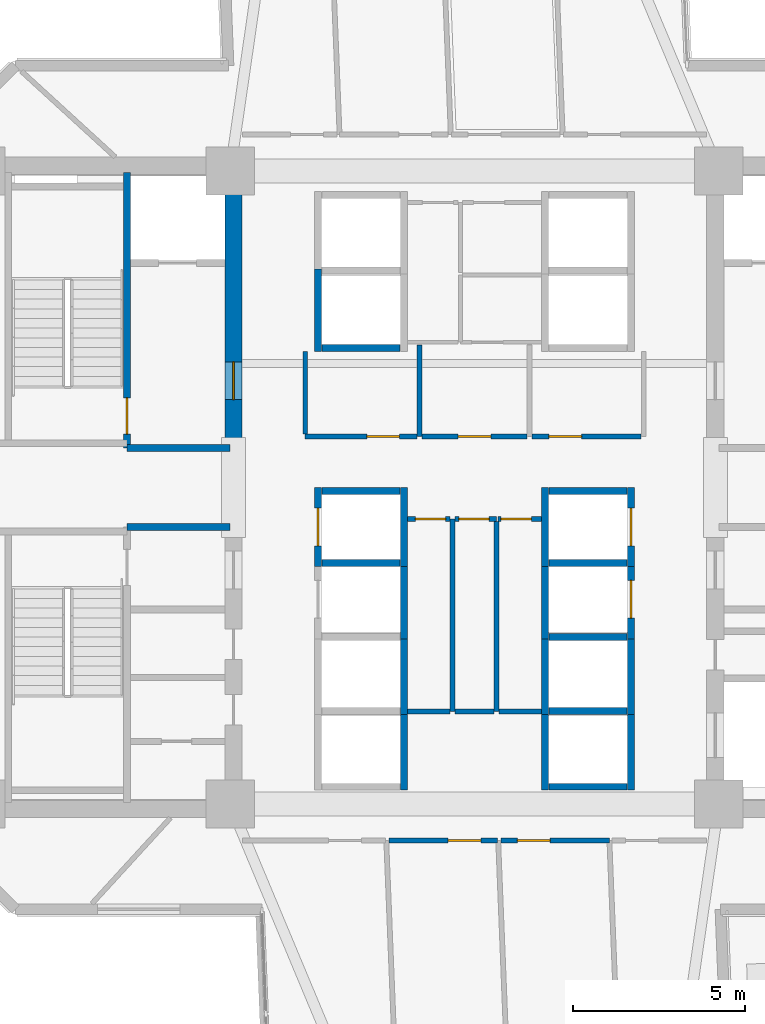
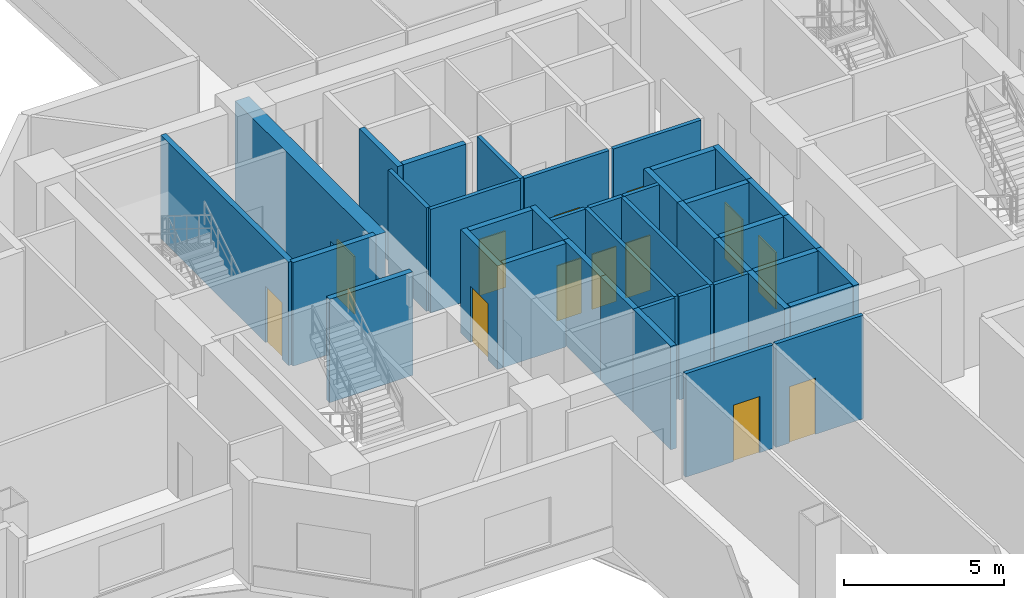
# One storey, part 7 of 16: 41 walls, 13 doors, 13 openings.
"""IFC4 building model written with IfcOpenShell, lengths in metres."""

from ifc_helpers import new_model, si_unit, direction, frame, frame_2d, origin, place, context, subcontext, project, spatial, rectangle, extrude, source, transform, mapped, material, layer, layer_set, type_object, element, fill, save


model = new_model("IFC4")

# Units and contexts
model_context = context("Model", 3, precision=1e-05, world=origin(), true_north=direction((0.0, 1.0)))
body_context = subcontext(model_context, "Body", "Model", "MODEL_VIEW")
ifc_project = project(units=[si_unit("LENGTHUNIT", "METRE"), si_unit("AREAUNIT", "SQUARE_METRE"), si_unit("VOLUMEUNIT", "CUBIC_METRE"), si_unit("PLANEANGLEUNIT", "RADIAN"), si_unit("MASSUNIT", "GRAM", prefix="KILO")], contexts=[model_context])

# Site, building, storey
site_placement = place(None, origin())
site = spatial("IfcSite", under=ifc_project, at=site_placement, CompositionType="ELEMENT")
building_placement = place(site_placement, origin())
building = spatial("IfcBuilding", under=site, at=building_placement, Name="Zahravan Cultural Tower", CompositionType="ELEMENT")
storey_placement = place(building_placement, frame((0.0, 0.0, 58.5)))
storey = spatial("IfcBuildingStorey", under=building, at=storey_placement, Name="L12", CompositionType="ELEMENT", Elevation=58.5)

# Wall, opening, door
ifc_material_1 = material(Name="Concrete C60/75", Category="concrete")
ifc_layer_1 = layer(ifc_material_1, 0.5)
ifc_layer_set_1 = layer_set([ifc_layer_1], Name="Concrete C60/75")
wall_type_1 = type_object("IfcWallType", Name="CW-SHEAR-500-C60", PredefinedType="SHEAR", material=ifc_layer_set_1)
wall_1_placement = place(storey_placement, frame((29.0, 28.050048828125, 0.0), z_axis=(0.0, 0.0, 1.0), x_axis=(0.0, 1.0, 0.0)))
wall_1 = element("IfcWall", 1, at=wall_1_placement, inside=storey, type_object=wall_type_1, Name="L12 Core Shear Wall CW-W-EN-L12", PredefinedType="SHEAR", context=body_context, shape_type="SweptSolid", body=[
    extrude(rectangle(XDim=8.550048828125, YDim=0.5, at=frame_2d((4.27490234375, 0.0))), origin(), (0.0, 0.0, 1.0), 3.949951171875),
])
opening_1_placement = place(wall_1_placement, frame((1.5, 0.0, 0.0)))
opening_1 = element("IfcOpeningElement", 2, at=opening_1_placement, cuts=wall_1, Name="Opening D-L12-05", PredefinedType="OPENING", context=body_context, shape_type="SweptSolid", body=[
    extrude(rectangle(XDim=1.10009765625, YDim=2.199951171875, at=frame_2d((0.550048828125, 1.10009765625))), frame((0.0, 0.260009765625, 0.0), z_axis=(0.0, -1.0, 0.0), x_axis=(1.0, 0.0, 0.0)), (0.0, 0.0, 1.0), 0.52001953125),
])
ifc_material_2 = material(Name="Steel ASTM A572 Grade 50", Category="steel")
door_type_1 = type_object("IfcDoorType", Name="DR-LOBBY-1100", OperationType="NOTDEFINED", PredefinedType="DOOR", material=ifc_material_2)
shared_shape_1 = source(origin(), body_context, "Body", "SweptSolid", [
    extrude(rectangle(XDim=1.10009765625, YDim=2.199951171875, at=frame_2d((0.550048828125, 1.10009765625))), frame((0.0, 0.02490234375, 0.0), z_axis=(0.0, -1.0, 0.0), x_axis=(1.0, 0.0, 0.0)), (0.0, 0.0, 1.0), 0.050048828125),
])
door_1_placement = place(opening_1_placement, origin())
door_1 = element("IfcDoor", 3, at=door_1_placement, inside=storey, type_object=door_type_1, Name="L12 Door D-L12-05", OperationType="SINGLE_SWING_RIGHT", OverallHeight=2.199951171875, OverallWidth=1.10009765625, PredefinedType="DOOR", context=body_context, shape_type="MappedRepresentation", body=[
    mapped(shared_shape_1, transform((0.0, 0.0, 0.0), x_axis=(1.0, 0.0, 0.0), y_axis=(0.0, 1.0, 0.0), z_axis=(0.0, 0.0, 1.0), scale=1.0)),
])
fill(opening_1, door_1)

ifc_material_3 = material(Name="Gypsum plasterboard partition")
ifc_layer_2 = layer(ifc_material_3, 0.139892578125)
ifc_layer_set_2 = layer_set([ifc_layer_2], Name="Gypsum plasterboard partition")
wall_type_2 = type_object("IfcWallType", Name="W-PART-140", PredefinedType="PARTITIONING", material=ifc_layer_set_2)
wall_2_placement = place(storey_placement, frame((35.43505859375, 26.080078125, 0.0), z_axis=(0.0, 0.0, 1.0), x_axis=(1.0, 0.0, 0.0)))
wall_2 = element("IfcWall", 4, at=wall_2_placement, inside=storey, type_object=wall_type_2, Name="L12 Interior Wall 077", PredefinedType="PARTITIONING", context=body_context, shape_type="SweptSolid", body=[
    extrude(rectangle(XDim=1.204833984375, YDim=0.139892578125, at=frame_2d((0.6025390625, 0.0))), origin(), (0.0, 0.0, 1.0), 3.949951171875),
])
opening_2_placement = place(wall_2_placement, frame((0.11376953125, 0.0, 0.0)))
opening_2 = element("IfcOpeningElement", 5, at=opening_2_placement, cuts=wall_2, Name="Opening D-L12-16", PredefinedType="OPENING", context=body_context, shape_type="SweptSolid", body=[
    extrude(rectangle(XDim=0.8798828125, YDim=2.10009765625, at=frame_2d((0.43994140625, 1.050048828125))), frame((0.0, 0.079833984375, 0.0), z_axis=(0.0, -1.0, 0.0), x_axis=(1.0, 0.0, 0.0)), (0.0, 0.0, 1.0), 0.159912109375),
])
ifc_material_4 = material(Name="Anodised bronze-aluminium mullion", Category="aluminium")
door_type_2 = type_object("IfcDoorType", Name="DR-ROOM-880", OperationType="NOTDEFINED", PredefinedType="DOOR", material=ifc_material_4)
shared_shape_2 = source(origin(), body_context, "Body", "SweptSolid", [
    extrude(rectangle(XDim=0.8798828125, YDim=2.10009765625, at=frame_2d((0.43994140625, 1.050048828125))), frame((0.0, 0.02490234375, 0.0), z_axis=(0.0, -1.0, 0.0), x_axis=(1.0, 0.0, 0.0)), (0.0, 0.0, 1.0), 0.050048828125),
])
door_2_placement = place(opening_2_placement, origin())
door_2 = element("IfcDoor", 6, at=door_2_placement, inside=storey, type_object=door_type_2, Name="L12 Door D-L12-16", OperationType="SINGLE_SWING_LEFT", OverallHeight=2.10009765625, OverallWidth=0.8798828125, PredefinedType="DOOR", context=body_context, shape_type="MappedRepresentation", body=[
    mapped(shared_shape_2, transform((0.0, 0.0, 0.0), x_axis=(1.0, 0.0, 0.0), y_axis=(0.0, 1.0, 0.0), z_axis=(0.0, 0.0, 1.0), scale=1.0)),
])
fill(opening_2, door_2)

wall_3_placement = place(storey_placement, frame((34.054931640625, 26.080078125, 0.0), z_axis=(0.0, 0.0, 1.0), x_axis=(1.0, 0.0, 0.0)))
wall_3 = element("IfcWall", 7, at=wall_3_placement, inside=storey, type_object=wall_type_2, Name="L12 Interior Wall 080", PredefinedType="PARTITIONING", context=body_context, shape_type="SweptSolid", body=[
    extrude(rectangle(XDim=1.22998046875, YDim=0.139892578125, at=frame_2d((0.614990234375, 0.0))), origin(), (0.0, 0.0, 1.0), 3.949951171875),
])
opening_3_placement = place(wall_3_placement, frame((0.2275390625, 0.0, 0.0)))
opening_3 = element("IfcOpeningElement", 8, at=opening_3_placement, cuts=wall_3, Name="Opening D-L12-15", PredefinedType="OPENING", context=body_context, shape_type="SweptSolid", body=[
    extrude(rectangle(XDim=0.8798828125, YDim=2.10009765625, at=frame_2d((0.43994140625, 1.050048828125))), frame((0.0, 0.079833984375, 0.0), z_axis=(0.0, -1.0, 0.0), x_axis=(1.0, 0.0, 0.0)), (0.0, 0.0, 1.0), 0.159912109375),
])
door_3_placement = place(opening_3_placement, origin())
door_3 = element("IfcDoor", 9, at=door_3_placement, inside=storey, type_object=door_type_2, Name="L12 Door D-L12-15", OperationType="SINGLE_SWING_RIGHT", OverallHeight=2.10009765625, OverallWidth=0.8798828125, PredefinedType="DOOR", context=body_context, shape_type="MappedRepresentation", body=[
    mapped(shared_shape_2, transform((0.0, 0.0, 0.0), x_axis=(1.0, 0.0, 0.0), y_axis=(0.0, 1.0, 0.0), z_axis=(0.0, 0.0, 1.0), scale=1.0)),
])
fill(opening_3, door_3)

wall_4_placement = place(storey_placement, frame((36.679931640625, 26.080078125, 0.0), z_axis=(0.0, 0.0, 1.0), x_axis=(1.0, 0.0, 0.0)))
wall_4 = element("IfcWall", 10, at=wall_4_placement, inside=storey, type_object=wall_type_2, Name="L12 Interior Wall 082", PredefinedType="PARTITIONING", context=body_context, shape_type="SweptSolid", body=[
    extrude(rectangle(XDim=1.26513671875, YDim=0.139892578125, at=frame_2d((0.632568359375, 0.0))), origin(), (0.0, 0.0, 1.0), 3.949951171875),
])
opening_4_placement = place(wall_4_placement, frame((0.09033203125, 0.0, 0.0)))
opening_4 = element("IfcOpeningElement", 11, at=opening_4_placement, cuts=wall_4, Name="Opening D-L12-17", PredefinedType="OPENING", context=body_context, shape_type="SweptSolid", body=[
    extrude(rectangle(XDim=0.8798828125, YDim=2.10009765625, at=frame_2d((0.43994140625, 1.050048828125))), frame((0.0, 0.079833984375, 0.0), z_axis=(0.0, -1.0, 0.0), x_axis=(1.0, 0.0, 0.0)), (0.0, 0.0, 1.0), 0.159912109375),
])
door_4_placement = place(opening_4_placement, origin())
door_4 = element("IfcDoor", 12, at=door_4_placement, inside=storey, type_object=door_type_2, Name="L12 Door D-L12-17", OperationType="SINGLE_SWING_RIGHT", OverallHeight=2.10009765625, OverallWidth=0.8798828125, PredefinedType="DOOR", context=body_context, shape_type="MappedRepresentation", body=[
    mapped(shared_shape_2, transform((0.0, 0.0, 0.0), x_axis=(1.0, 0.0, 0.0), y_axis=(0.0, 1.0, 0.0), z_axis=(0.0, 0.0, 1.0), scale=1.0)),
])
fill(opening_4, door_4)

wall_5_placement = place(storey_placement, frame((37.52490234375, 28.47998046875, 0.0), z_axis=(0.0, 0.0, 1.0), x_axis=(-1.0, 0.0, 0.0)))
wall_5 = element("IfcWall", 13, at=wall_5_placement, inside=storey, type_object=wall_type_2, Name="L12 Interior Wall 086", PredefinedType="PARTITIONING", context=body_context, shape_type="SweptSolid", body=[
    extrude(rectangle(XDim=3.0498046875, YDim=0.139892578125, at=frame_2d((1.52490234375, 0.0))), origin(), (0.0, 0.0, 1.0), 3.949951171875),
])
opening_5_placement = place(wall_5_placement, frame((1.050048828125, 0.0, 0.0)))
opening_5 = element("IfcOpeningElement", 14, at=opening_5_placement, cuts=wall_5, Name="Opening D-L12-19", PredefinedType="OPENING", context=body_context, shape_type="SweptSolid", body=[
    extrude(rectangle(XDim=0.949951171875, YDim=2.14990234375, at=frame_2d((0.47509765625, 1.074951171875))), frame((0.0, 0.079833984375, 0.0), z_axis=(0.0, -1.0, 0.0), x_axis=(1.0, 0.0, 0.0)), (0.0, 0.0, 1.0), 0.159912109375),
])
door_type_3 = type_object("IfcDoorType", Name="DR-ROOM-950", OperationType="NOTDEFINED", PredefinedType="DOOR", material=ifc_material_4)
shared_shape_3 = source(origin(), body_context, "Body", "SweptSolid", [
    extrude(rectangle(XDim=0.949951171875, YDim=2.14990234375, at=frame_2d((0.47509765625, 1.074951171875))), frame((0.0, 0.02490234375, 0.0), z_axis=(0.0, -1.0, 0.0), x_axis=(1.0, 0.0, 0.0)), (0.0, 0.0, 1.0), 0.050048828125),
])
door_5_placement = place(opening_5_placement, origin())
door_5 = element("IfcDoor", 15, at=door_5_placement, inside=storey, type_object=door_type_3, Name="L12 Door D-L12-19", OperationType="SINGLE_SWING_RIGHT", OverallHeight=2.14990234375, OverallWidth=0.949951171875, PredefinedType="DOOR", context=body_context, shape_type="MappedRepresentation", body=[
    mapped(shared_shape_3, transform((0.0, 0.0, 0.0), x_axis=(1.0, 0.0, 0.0), y_axis=(0.0, 1.0, 0.0), z_axis=(0.0, 0.0, 1.0), scale=1.0)),
])
fill(opening_5, door_5)

wall_6_placement = place(storey_placement, frame((34.324951171875, 28.47998046875, 0.0), z_axis=(0.0, 0.0, 1.0), x_axis=(-1.0, 0.0, 0.0)))
wall_6 = element("IfcWall", 16, at=wall_6_placement, inside=storey, type_object=wall_type_2, Name="L12 Interior Wall 087", PredefinedType="PARTITIONING", context=body_context, shape_type="SweptSolid", body=[
    extrude(rectangle(XDim=3.244873046875, YDim=0.139892578125, at=frame_2d((1.62255859375, 0.0))), origin(), (0.0, 0.0, 1.0), 3.949951171875),
])
opening_6_placement = place(wall_6_placement, frame((0.5048828125, 0.0, 0.0)))
opening_6 = element("IfcOpeningElement", 17, at=opening_6_placement, cuts=wall_6, Name="Opening D-L12-18", PredefinedType="OPENING", context=body_context, shape_type="SweptSolid", body=[
    extrude(rectangle(XDim=0.949951171875, YDim=2.14990234375, at=frame_2d((0.47509765625, 1.074951171875))), frame((0.0, 0.079833984375, 0.0), z_axis=(0.0, -1.0, 0.0), x_axis=(1.0, 0.0, 0.0)), (0.0, 0.0, 1.0), 0.159912109375),
])
door_6_placement = place(opening_6_placement, origin())
door_6 = element("IfcDoor", 18, at=door_6_placement, inside=storey, type_object=door_type_3, Name="L12 Door D-L12-18", OperationType="SINGLE_SWING_LEFT", OverallHeight=2.14990234375, OverallWidth=0.949951171875, PredefinedType="DOOR", context=body_context, shape_type="MappedRepresentation", body=[
    mapped(shared_shape_3, transform((0.0, 0.0, 0.0), x_axis=(1.0, 0.0, 0.0), y_axis=(0.0, 1.0, 0.0), z_axis=(0.0, 0.0, 1.0), scale=1.0)),
])
fill(opening_6, door_6)

wall_7_placement = place(storey_placement, frame((40.844970703125, 28.47998046875, 0.0), z_axis=(0.0, 0.0, 1.0), x_axis=(-1.0, 0.0, 0.0)))
wall_7 = element("IfcWall", 19, at=wall_7_placement, inside=storey, type_object=wall_type_2, Name="L12 Interior Wall 090", PredefinedType="PARTITIONING", context=body_context, shape_type="SweptSolid", body=[
    extrude(rectangle(XDim=3.169921875, YDim=0.139892578125, at=frame_2d((1.5849609375, 0.0))), origin(), (0.0, 0.0, 1.0), 3.949951171875),
])
opening_7_placement = place(wall_7_placement, frame((1.731689453125, 0.0, 0.0)))
opening_7 = element("IfcOpeningElement", 20, at=opening_7_placement, cuts=wall_7, Name="Opening D-L12-20", PredefinedType="OPENING", context=body_context, shape_type="SweptSolid", body=[
    extrude(rectangle(XDim=0.949951171875, YDim=2.14990234375, at=frame_2d((0.47509765625, 1.074951171875))), frame((0.0, 0.079833984375, 0.0), z_axis=(0.0, -1.0, 0.0), x_axis=(1.0, 0.0, 0.0)), (0.0, 0.0, 1.0), 0.159912109375),
])
door_7_placement = place(opening_7_placement, origin())
door_7 = element("IfcDoor", 21, at=door_7_placement, inside=storey, type_object=door_type_3, Name="L12 Door D-L12-20", OperationType="SINGLE_SWING_LEFT", OverallHeight=2.14990234375, OverallWidth=0.949951171875, PredefinedType="DOOR", context=body_context, shape_type="MappedRepresentation", body=[
    mapped(shared_shape_3, transform((0.0, 0.0, 0.0), x_axis=(1.0, 0.0, 0.0), y_axis=(0.0, 1.0, 0.0), z_axis=(0.0, 0.0, 1.0), scale=1.0)),
])
fill(opening_7, door_7)

wall_8_placement = place(storey_placement, frame((36.763916015625, 16.739990234375, 0.0), z_axis=(0.0, 0.0, 1.0), x_axis=(1.0, 0.0, 0.0)))
wall_8 = element("IfcWall", 22, at=wall_8_placement, inside=storey, type_object=wall_type_2, Name="L12 Interior Wall 101", PredefinedType="PARTITIONING", context=body_context, shape_type="SweptSolid", body=[
    extrude(rectangle(XDim=3.157470703125, YDim=0.139892578125, at=frame_2d((1.57861328125, 0.0))), origin(), (0.0, 0.0, 1.0), 3.949951171875),
])
opening_8_placement = place(wall_8_placement, frame((0.485595703125, 0.0, 0.0)))
opening_8 = element("IfcOpeningElement", 23, at=opening_8_placement, cuts=wall_8, Name="Opening D-L12-33", PredefinedType="OPENING", context=body_context, shape_type="SweptSolid", body=[
    extrude(rectangle(XDim=0.949951171875, YDim=2.14990234375, at=frame_2d((0.47509765625, 1.074951171875))), frame((0.0, 0.079833984375, 0.0), z_axis=(0.0, -1.0, 0.0), x_axis=(1.0, 0.0, 0.0)), (0.0, 0.0, 1.0), 0.159912109375),
])
door_8_placement = place(opening_8_placement, origin())
door_8 = element("IfcDoor", 24, at=door_8_placement, inside=storey, type_object=door_type_3, Name="L12 Door D-L12-33", OperationType="SINGLE_SWING_RIGHT", OverallHeight=2.14990234375, OverallWidth=0.949951171875, PredefinedType="DOOR", context=body_context, shape_type="MappedRepresentation", body=[
    mapped(shared_shape_3, transform((0.0, 0.0, 0.0), x_axis=(1.0, 0.0, 0.0), y_axis=(0.0, 1.0, 0.0), z_axis=(0.0, 0.0, 1.0), scale=1.0)),
])
fill(opening_8, door_8)

wall_9_placement = place(storey_placement, frame((33.51123046875, 16.739990234375, 0.0), z_axis=(0.0, 0.0, 1.0), x_axis=(1.0, 0.0, 0.0)))
wall_9 = element("IfcWall", 25, at=wall_9_placement, inside=storey, type_object=wall_type_2, Name="L12 Interior Wall 108", PredefinedType="PARTITIONING", context=body_context, shape_type="SweptSolid", body=[
    extrude(rectangle(XDim=3.157470703125, YDim=0.139892578125, at=frame_2d((1.57861328125, 0.0))), origin(), (0.0, 0.0, 1.0), 3.949951171875),
])
opening_9_placement = place(wall_9_placement, frame((1.7216796875, 0.0, 0.0)))
opening_9 = element("IfcOpeningElement", 26, at=opening_9_placement, cuts=wall_9, Name="Opening D-L12-32", PredefinedType="OPENING", context=body_context, shape_type="SweptSolid", body=[
    extrude(rectangle(XDim=0.949951171875, YDim=2.14990234375, at=frame_2d((0.47509765625, 1.074951171875))), frame((0.0, 0.079833984375, 0.0), z_axis=(0.0, -1.0, 0.0), x_axis=(1.0, 0.0, 0.0)), (0.0, 0.0, 1.0), 0.159912109375),
])
door_9_placement = place(opening_9_placement, origin())
door_9 = element("IfcDoor", 27, at=door_9_placement, inside=storey, type_object=door_type_3, Name="L12 Door D-L12-32", OperationType="SINGLE_SWING_LEFT", OverallHeight=2.14990234375, OverallWidth=0.949951171875, PredefinedType="DOOR", context=body_context, shape_type="MappedRepresentation", body=[
    mapped(shared_shape_3, transform((0.0, 0.0, 0.0), x_axis=(1.0, 0.0, 0.0), y_axis=(0.0, 1.0, 0.0), z_axis=(0.0, 0.0, 1.0), scale=1.0)),
])
fill(opening_9, door_9)

ifc_material_5 = material(Name="Concrete C45/55", Category="concrete")
ifc_layer_3 = layer(ifc_material_5, 0.199951171875)
ifc_layer_set_3 = layer_set([ifc_layer_3], Name="Concrete C45/55")
wall_type_3 = type_object("IfcWallType", Name="W-SHAFT-200", PredefinedType="SOLIDWALL", material=ifc_layer_set_3)
wall_10_placement = place(storey_placement, frame((25.89990234375, 28.14990234375, 0.0), z_axis=(0.0, 0.0, 1.0), x_axis=(0.0, 1.0, 0.0)))
wall_10 = element("IfcWall", 28, at=wall_10_placement, inside=storey, type_object=wall_type_3, Name="L12 Interior Wall 006", PredefinedType="SOLIDWALL", context=body_context, shape_type="SweptSolid", body=[
    extrude(rectangle(XDim=8.0, YDim=0.199951171875, at=frame_2d((4.0, 0.0))), origin(), (0.0, 0.0, 1.0), 3.949951171875),
])
opening_10_placement = place(wall_10_placement, frame((0.39990234375, 0.0, 0.0)))
opening_10 = element("IfcOpeningElement", 29, at=opening_10_placement, cuts=wall_10, Name="Opening D-L12-01", PredefinedType="OPENING", context=body_context, shape_type="SweptSolid", body=[
    extrude(rectangle(XDim=1.050048828125, YDim=2.14990234375, at=frame_2d((0.52490234375, 1.074951171875))), frame((0.0, 0.10986328125, 0.0), z_axis=(0.0, -1.0, 0.0), x_axis=(1.0, 0.0, 0.0)), (0.0, 0.0, 1.0), 0.219970703125),
])
door_type_4 = type_object("IfcDoorType", Name="DR-STAIR-1050", OperationType="NOTDEFINED", PredefinedType="DOOR", material=ifc_material_2)
shared_shape_4 = source(origin(), body_context, "Body", "SweptSolid", [
    extrude(rectangle(XDim=1.050048828125, YDim=2.14990234375, at=frame_2d((0.52490234375, 1.074951171875))), frame((0.0, 0.02490234375, 0.0), z_axis=(0.0, -1.0, 0.0), x_axis=(1.0, 0.0, 0.0)), (0.0, 0.0, 1.0), 0.050048828125),
])
door_10_placement = place(opening_10_placement, origin())
door_10 = element("IfcDoor", 30, at=door_10_placement, inside=storey, type_object=door_type_4, Name="L12 Door D-L12-01", OperationType="SINGLE_SWING_RIGHT", OverallHeight=2.14990234375, OverallWidth=1.050048828125, PredefinedType="DOOR", context=body_context, shape_type="MappedRepresentation", body=[
    mapped(shared_shape_4, transform((0.0, 0.0, 0.0), x_axis=(1.0, 0.0, 0.0), y_axis=(0.0, 1.0, 0.0), z_axis=(0.0, 0.0, 1.0), scale=1.0)),
])
fill(opening_10, door_10)

wall_11_placement = place(storey_placement, frame((31.449951171875, 24.699951171875, 0.0), z_axis=(0.0, 0.0, 1.0), x_axis=(0.0, 1.0, 0.0)))
wall_11 = element("IfcWall", 31, at=wall_11_placement, inside=storey, type_object=wall_type_3, Name="L12 Interior Wall 057", PredefinedType="SOLIDWALL", context=body_context, shape_type="SweptSolid", body=[
    extrude(rectangle(XDim=2.300048828125, YDim=0.199951171875, at=frame_2d((1.14990234375, 0.0))), origin(), (0.0, 0.0, 1.0), 3.949951171875),
])
opening_11_placement = place(wall_11_placement, frame((0.60009765625, 0.0, 0.0)))
opening_11 = element("IfcOpeningElement", 32, at=opening_11_placement, cuts=wall_11, Name="Opening LD-L12-04", PredefinedType="OPENING", context=body_context, shape_type="SweptSolid", body=[
    extrude(rectangle(XDim=1.10009765625, YDim=2.14990234375, at=frame_2d((0.550048828125, 1.074951171875))), frame((0.0, 0.10986328125, 0.0), z_axis=(0.0, -1.0, 0.0), x_axis=(1.0, 0.0, 0.0)), (0.0, 0.0, 1.0), 0.219970703125),
])
door_type_5 = type_object("IfcDoorType", Name="DR-LIFT-1100", OperationType="DOUBLE_DOOR_SLIDING", PredefinedType="DOOR", material=ifc_material_2)
shared_shape_5 = source(origin(), body_context, "Body", "SweptSolid", [
    extrude(rectangle(XDim=1.10009765625, YDim=2.14990234375, at=frame_2d((0.550048828125, 1.074951171875))), frame((0.0, 0.02490234375, 0.0), z_axis=(0.0, -1.0, 0.0), x_axis=(1.0, 0.0, 0.0)), (0.0, 0.0, 1.0), 0.050048828125),
])
door_11_placement = place(opening_11_placement, origin())
door_11 = element("IfcDoor", 33, at=door_11_placement, inside=storey, type_object=door_type_5, Name="L12 Door LD-L12-04", OperationType="DOUBLE_DOOR_SLIDING", OverallHeight=2.14990234375, OverallWidth=1.10009765625, PredefinedType="DOOR", context=body_context, shape_type="MappedRepresentation", body=[
    mapped(shared_shape_5, transform((0.0, 0.0, 0.0), x_axis=(1.0, 0.0, 0.0), y_axis=(0.0, 1.0, 0.0), z_axis=(0.0, 0.0, 1.0), scale=1.0)),
])
fill(opening_11, door_11)

wall_12_placement = place(storey_placement, frame((40.550048828125, 24.699951171875, 0.0), z_axis=(0.0, 0.0, 1.0), x_axis=(0.0, 1.0, 0.0)))
wall_12 = element("IfcWall", 34, at=wall_12_placement, inside=storey, type_object=wall_type_3, Name="L12 Interior Wall 064", PredefinedType="SOLIDWALL", context=body_context, shape_type="SweptSolid", body=[
    extrude(rectangle(XDim=2.300048828125, YDim=0.199951171875, at=frame_2d((1.14990234375, 0.0))), origin(), (0.0, 0.0, 1.0), 3.949951171875),
])
opening_12_placement = place(wall_12_placement, frame((0.60009765625, 0.0, 0.0)))
opening_12 = element("IfcOpeningElement", 35, at=opening_12_placement, cuts=wall_12, Name="Opening LD-L12-06", PredefinedType="OPENING", context=body_context, shape_type="SweptSolid", body=[
    extrude(rectangle(XDim=1.10009765625, YDim=2.14990234375, at=frame_2d((0.550048828125, 1.074951171875))), frame((0.0, 0.10986328125, 0.0), z_axis=(0.0, -1.0, 0.0), x_axis=(1.0, 0.0, 0.0)), (0.0, 0.0, 1.0), 0.219970703125),
])
door_12_placement = place(opening_12_placement, origin())
door_12 = element("IfcDoor", 36, at=door_12_placement, inside=storey, type_object=door_type_5, Name="L12 Door LD-L12-06", OperationType="DOUBLE_DOOR_SLIDING", OverallHeight=2.14990234375, OverallWidth=1.10009765625, PredefinedType="DOOR", context=body_context, shape_type="MappedRepresentation", body=[
    mapped(shared_shape_5, transform((0.0, 0.0, 0.0), x_axis=(1.0, 0.0, 0.0), y_axis=(0.0, 1.0, 0.0), z_axis=(0.0, 0.0, 1.0), scale=1.0)),
])
fill(opening_12, door_12)

wall_13_placement = place(storey_placement, frame((40.550048828125, 22.60009765625, 0.0), z_axis=(0.0, 0.0, 1.0), x_axis=(0.0, 1.0, 0.0)))
wall_13 = element("IfcWall", 37, at=wall_13_placement, inside=storey, type_object=wall_type_3, Name="L12 Interior Wall 068", PredefinedType="SOLIDWALL", context=body_context, shape_type="SweptSolid", body=[
    extrude(rectangle(XDim=2.2998046875, YDim=0.199951171875, at=frame_2d((1.14990234375, 0.0))), origin(), (0.0, 0.0, 1.0), 3.949951171875),
])
opening_13_placement = place(wall_13_placement, frame((0.60009765625, 0.0, 0.0)))
opening_13 = element("IfcOpeningElement", 38, at=opening_13_placement, cuts=wall_13, Name="Opening LD-L12-07", PredefinedType="OPENING", context=body_context, shape_type="SweptSolid", body=[
    extrude(rectangle(XDim=1.10009765625, YDim=2.14990234375, at=frame_2d((0.550048828125, 1.074951171875))), frame((0.0, 0.10986328125, 0.0), z_axis=(0.0, -1.0, 0.0), x_axis=(1.0, 0.0, 0.0)), (0.0, 0.0, 1.0), 0.219970703125),
])
door_13_placement = place(opening_13_placement, origin())
door_13 = element("IfcDoor", 39, at=door_13_placement, inside=storey, type_object=door_type_5, Name="L12 Door LD-L12-07", OperationType="DOUBLE_DOOR_SLIDING", OverallHeight=2.14990234375, OverallWidth=1.10009765625, PredefinedType="DOOR", context=body_context, shape_type="MappedRepresentation", body=[
    mapped(shared_shape_5, transform((0.0, 0.0, 0.0), x_axis=(1.0, 0.0, 0.0), y_axis=(0.0, 1.0, 0.0), z_axis=(0.0, 0.0, 1.0), scale=1.0)),
])
fill(opening_13, door_13)

# Walls
shared_shape_6 = source(origin(), body_context, "Body", "SweptSolid", [
    extrude(rectangle(XDim=3.0, YDim=0.199951171875, at=frame_2d((1.5, 0.0))), origin(), (0.0, 0.0, 1.0), 3.949951171875),
])
for number, where, z_axis, x_axis, name in (
    (40, (25.89990234375, 25.85009765625, 0.0), (0.0, 0.0, 1.0), (1.0, 0.0, 0.0), "L12 Interior Wall 010"),
    (41, (25.89990234375, 28.14990234375, 0.0), (0.0, 0.0, 1.0), (1.0, 0.0, 0.0), "L12 Interior Wall 012"),
):
    element("IfcWall", number, at=place(storey_placement, frame(where, z_axis=z_axis, x_axis=x_axis)), inside=storey, type_object=wall_type_3, Name=name, PredefinedType="SOLIDWALL", context=body_context, shape_type="MappedRepresentation", body=[
        mapped(shared_shape_6, transform((0.0, 0.0, 0.0), x_axis=(1.0, 0.0, 0.0), y_axis=(0.0, 1.0, 0.0), z_axis=(0.0, 0.0, 1.0), scale=1.0)),
    ])
shared_shape_7 = source(origin(), body_context, "Body", "SweptSolid", [
    extrude(rectangle(XDim=2.400146484375, YDim=0.199951171875, at=frame_2d((1.2001953125, 0.0))), origin(), (0.0, 0.0, 1.0), 3.949951171875),
])
wall_14_placement = place(storey_placement, frame((31.449951171875, 30.949951171875, 0.0), z_axis=(0.0, 0.0, 1.0), x_axis=(0.0, 1.0, 0.0)))
element("IfcWall", 42, at=wall_14_placement, inside=storey, type_object=wall_type_3, Name="L12 Interior Wall 033", PredefinedType="SOLIDWALL", context=body_context, shape_type="MappedRepresentation", body=[
    mapped(shared_shape_7, transform((0.0, 0.0, 0.0), x_axis=(1.0, 0.0, 0.0), y_axis=(0.0, 1.0, 0.0), z_axis=(0.0, 0.0, 1.0), scale=1.0)),
])
shared_shape_8 = source(origin(), body_context, "Body", "SweptSolid", [
    extrude(rectangle(XDim=2.260009765625, YDim=0.199951171875, at=frame_2d((1.1298828125, 0.0))), origin(), (0.0, 0.0, 1.0), 3.949951171875),
])
for number, where, z_axis, x_axis, name in (
    (43, (31.570068359375, 31.050048828125, 0.0), (0.0, 0.0, 1.0), (1.0, 0.0, 0.0), "L12 Interior Wall 035"),
    (44, (38.169921875, 20.5, 0.0), (0.0, 0.0, 1.0), (1.0, 0.0, 0.0), "L12 Interior Wall 052"),
    (45, (38.169921875, 22.64990234375, 0.0), (0.0, 0.0, 1.0), (1.0, 0.0, 0.0), "L12 Interior Wall 053"),
    (46, (38.169921875, 18.300048828125, 0.0), (0.0, 0.0, 1.0), (1.0, 0.0, 0.0), "L12 Interior Wall 056"),
    (47, (31.570068359375, 24.800048828125, 0.0), (0.0, 0.0, 1.0), (1.0, 0.0, 0.0), "L12 Interior Wall 059"),
    (48, (31.570068359375, 26.89990234375, 0.0), (0.0, 0.0, 1.0), (1.0, 0.0, 0.0), "L12 Interior Wall 060"),
    (49, (38.169921875, 24.800048828125, 0.0), (0.0, 0.0, 1.0), (1.0, 0.0, 0.0), "L12 Interior Wall 065"),
    (50, (38.169921875, 26.89990234375, 0.0), (0.0, 0.0, 1.0), (1.0, 0.0, 0.0), "L12 Interior Wall 066"),
):
    element("IfcWall", number, at=place(storey_placement, frame(where, z_axis=z_axis, x_axis=x_axis)), inside=storey, type_object=wall_type_3, Name=name, PredefinedType="SOLIDWALL", context=body_context, shape_type="MappedRepresentation", body=[
        mapped(shared_shape_8, transform((0.0, 0.0, 0.0), x_axis=(1.0, 0.0, 0.0), y_axis=(0.0, 1.0, 0.0), z_axis=(0.0, 0.0, 1.0), scale=1.0)),
    ])
shared_shape_9 = source(origin(), body_context, "Body", "SweptSolid", [
    extrude(rectangle(XDim=2.35009765625, YDim=0.199951171875, at=frame_2d((1.175048828125, 0.0))), origin(), (0.0, 0.0, 1.0), 3.949951171875),
])
for number, where, z_axis, x_axis, name in (
    (51, (33.949951171875, 20.39990234375, 0.0), (0.0, 0.0, 1.0), (0.0, 1.0, 0.0), "L12 Interior Wall 044"),
    (52, (33.949951171875, 18.199951171875, 0.0), (0.0, 0.0, 1.0), (0.0, 1.0, 0.0), "L12 Interior Wall 048"),
    (53, (38.050048828125, 20.39990234375, 0.0), (0.0, 0.0, 1.0), (0.0, 1.0, 0.0), "L12 Interior Wall 050"),
    (54, (40.550048828125, 20.39990234375, 0.0), (0.0, 0.0, 1.0), (0.0, 1.0, 0.0), "L12 Interior Wall 051"),
    (55, (38.050048828125, 18.199951171875, 0.0), (0.0, 0.0, 1.0), (0.0, 1.0, 0.0), "L12 Interior Wall 054"),
    (56, (40.550048828125, 18.199951171875, 0.0), (0.0, 0.0, 1.0), (0.0, 1.0, 0.0), "L12 Interior Wall 055"),
):
    element("IfcWall", number, at=place(storey_placement, frame(where, z_axis=z_axis, x_axis=x_axis)), inside=storey, type_object=wall_type_3, Name=name, PredefinedType="SOLIDWALL", context=body_context, shape_type="MappedRepresentation", body=[
        mapped(shared_shape_9, transform((0.0, 0.0, 0.0), x_axis=(1.0, 0.0, 0.0), y_axis=(0.0, 1.0, 0.0), z_axis=(0.0, 0.0, 1.0), scale=1.0)),
    ])
shared_shape_10 = source(origin(), body_context, "Body", "SweptSolid", [
    extrude(rectangle(XDim=2.300048828125, YDim=0.199951171875, at=frame_2d((1.14990234375, 0.0))), origin(), (0.0, 0.0, 1.0), 3.949951171875),
])
for number, where, z_axis, x_axis, name in (
    (57, (33.949951171875, 24.699951171875, 0.0), (0.0, 0.0, 1.0), (0.0, 1.0, 0.0), "L12 Interior Wall 058"),
    (58, (38.050048828125, 24.699951171875, 0.0), (0.0, 0.0, 1.0), (0.0, 1.0, 0.0), "L12 Interior Wall 063"),
):
    element("IfcWall", number, at=place(storey_placement, frame(where, z_axis=z_axis, x_axis=x_axis)), inside=storey, type_object=wall_type_3, Name=name, PredefinedType="SOLIDWALL", context=body_context, shape_type="MappedRepresentation", body=[
        mapped(shared_shape_10, transform((0.0, 0.0, 0.0), x_axis=(1.0, 0.0, 0.0), y_axis=(0.0, 1.0, 0.0), z_axis=(0.0, 0.0, 1.0), scale=1.0)),
    ])
shared_shape_11 = source(origin(), body_context, "Body", "SweptSolid", [
    extrude(rectangle(XDim=2.2998046875, YDim=0.199951171875, at=frame_2d((1.14990234375, 0.0))), origin(), (0.0, 0.0, 1.0), 3.949951171875),
])
for number, where, z_axis, x_axis, name in (
    (59, (33.949951171875, 22.60009765625, 0.0), (0.0, 0.0, 1.0), (0.0, 1.0, 0.0), "L12 Interior Wall 062"),
    (60, (38.050048828125, 22.60009765625, 0.0), (0.0, 0.0, 1.0), (0.0, 1.0, 0.0), "L12 Interior Wall 067"),
):
    element("IfcWall", number, at=place(storey_placement, frame(where, z_axis=z_axis, x_axis=x_axis)), inside=storey, type_object=wall_type_3, Name=name, PredefinedType="SOLIDWALL", context=body_context, shape_type="MappedRepresentation", body=[
        mapped(shared_shape_11, transform((0.0, 0.0, 0.0), x_axis=(1.0, 0.0, 0.0), y_axis=(0.0, 1.0, 0.0), z_axis=(0.0, 0.0, 1.0), scale=1.0)),
    ])
shared_shape_12 = source(origin(), body_context, "Body", "SweptSolid", [
    extrude(rectangle(XDim=2.39501953125, YDim=0.139892578125, at=frame_2d((1.197509765625, 0.0))), origin(), (0.0, 0.0, 1.0), 3.949951171875),
])
wall_15_placement = place(storey_placement, frame((31.080078125, 28.554931640625, 0.0), z_axis=(0.0, 0.0, 1.0), x_axis=(0.0, 1.0, 0.0)))
element("IfcWall", 61, at=wall_15_placement, inside=storey, type_object=wall_type_2, Name="L12 Interior Wall 088", PredefinedType="PARTITIONING", context=body_context, shape_type="MappedRepresentation", body=[
    mapped(shared_shape_12, transform((0.0, 0.0, 0.0), x_axis=(1.0, 0.0, 0.0), y_axis=(0.0, 1.0, 0.0), z_axis=(0.0, 0.0, 1.0), scale=1.0)),
])
shared_shape_13 = source(origin(), body_context, "Body", "SweptSolid", [
    extrude(rectangle(XDim=5.590087890625, YDim=0.139892578125, at=frame_2d((2.794921875, 0.0))), origin(), (0.0, 0.0, 1.0), 3.949951171875),
])
wall_16_placement = place(storey_placement, frame((35.360107421875, 20.489990234375, 0.0), z_axis=(0.0, 0.0, 1.0), x_axis=(0.0, 1.0, 0.0)))
element("IfcWall", 62, at=wall_16_placement, inside=storey, type_object=wall_type_2, Name="L12 Interior Wall 076", PredefinedType="PARTITIONING", context=body_context, shape_type="MappedRepresentation", body=[
    mapped(shared_shape_13, transform((0.0, 0.0, 0.0), x_axis=(1.0, 0.0, 0.0), y_axis=(0.0, 1.0, 0.0), z_axis=(0.0, 0.0, 1.0), scale=1.0)),
])
shared_shape_14 = source(origin(), body_context, "Body", "SweptSolid", [
    extrude(rectangle(XDim=5.514892578125, YDim=0.139892578125, at=frame_2d((2.75732421875, 0.0))), origin(), (0.0, 0.0, 1.0), 3.949951171875),
])
wall_17_placement = place(storey_placement, frame((36.639892578125, 26.0048828125, 0.0), z_axis=(0.0, 0.0, 1.0), x_axis=(0.0, -1.0, 0.0)))
element("IfcWall", 63, at=wall_17_placement, inside=storey, type_object=wall_type_2, Name="L12 Interior Wall 078", PredefinedType="PARTITIONING", context=body_context, shape_type="MappedRepresentation", body=[
    mapped(shared_shape_14, transform((0.0, 0.0, 0.0), x_axis=(1.0, 0.0, 0.0), y_axis=(0.0, 1.0, 0.0), z_axis=(0.0, 0.0, 1.0), scale=1.0)),
])
shared_shape_15 = source(origin(), body_context, "Body", "SweptSolid", [
    extrude(rectangle(XDim=1.1298828125, YDim=0.139892578125, at=frame_2d((0.56494140625, 0.0))), origin(), (0.0, 0.0, 1.0), 3.949951171875),
])
wall_18_placement = place(storey_placement, frame((36.56494140625, 20.489990234375, 0.0), z_axis=(0.0, 0.0, 1.0), x_axis=(-1.0, 0.0, 0.0)))
element("IfcWall", 64, at=wall_18_placement, inside=storey, type_object=wall_type_2, Name="L12 Interior Wall 079", PredefinedType="PARTITIONING", context=body_context, shape_type="MappedRepresentation", body=[
    mapped(shared_shape_15, transform((0.0, 0.0, 0.0), x_axis=(1.0, 0.0, 0.0), y_axis=(0.0, 1.0, 0.0), z_axis=(0.0, 0.0, 1.0), scale=1.0)),
])
shared_shape_16 = source(origin(), body_context, "Body", "SweptSolid", [
    extrude(rectangle(XDim=1.22998046875, YDim=0.139892578125, at=frame_2d((0.614990234375, 0.0))), origin(), (0.0, 0.0, 1.0), 3.949951171875),
])
for number, where, z_axis, x_axis, name in (
    (65, (35.284912109375, 20.489990234375, 0.0), (0.0, 0.0, 1.0), (-1.0, 0.0, 0.0), "L12 Interior Wall 081"),
    (66, (37.945068359375, 20.489990234375, 0.0), (0.0, 0.0, 1.0), (-1.0, 0.0, 0.0), "L12 Interior Wall 083"),
):
    element("IfcWall", number, at=place(storey_placement, frame(where, z_axis=z_axis, x_axis=x_axis)), inside=storey, type_object=wall_type_2, Name=name, PredefinedType="PARTITIONING", context=body_context, shape_type="MappedRepresentation", body=[
        mapped(shared_shape_16, transform((0.0, 0.0, 0.0), x_axis=(1.0, 0.0, 0.0), y_axis=(0.0, 1.0, 0.0), z_axis=(0.0, 0.0, 1.0), scale=1.0)),
    ])
shared_shape_17 = source(origin(), body_context, "Body", "SweptSolid", [
    extrude(rectangle(XDim=2.659912109375, YDim=0.139892578125, at=frame_2d((1.330078125, 0.0))), origin(), (0.0, 0.0, 1.0), 3.949951171875),
])
wall_19_placement = place(storey_placement, frame((34.39990234375, 28.47998046875, 0.0), z_axis=(0.0, 0.0, 1.0), x_axis=(0.0, 1.0, 0.0)))
element("IfcWall", 67, at=wall_19_placement, inside=storey, type_object=wall_type_2, Name="L12 Interior Wall 084", PredefinedType="PARTITIONING", context=body_context, shape_type="MappedRepresentation", body=[
    mapped(shared_shape_17, transform((0.0, 0.0, 0.0), x_axis=(1.0, 0.0, 0.0), y_axis=(0.0, 1.0, 0.0), z_axis=(0.0, 0.0, 1.0), scale=1.0)),
])

save(model, "model.ifc")
